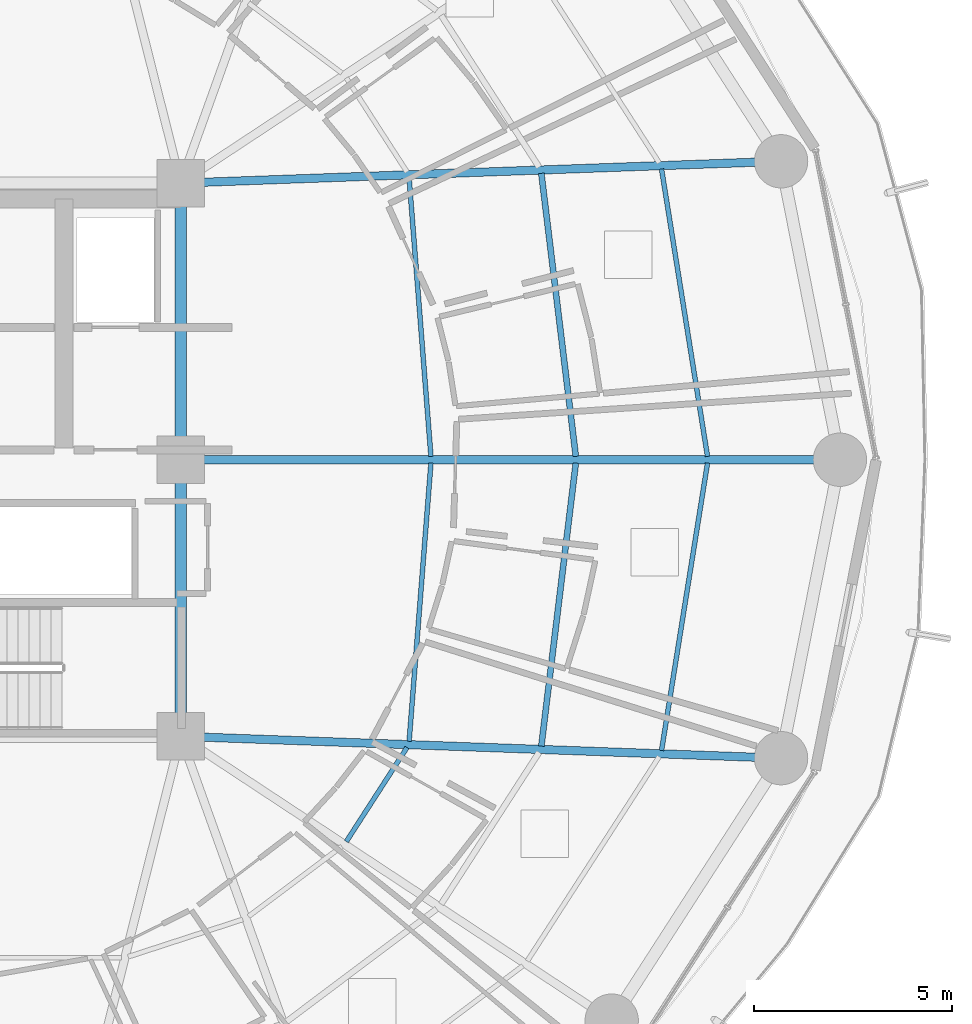
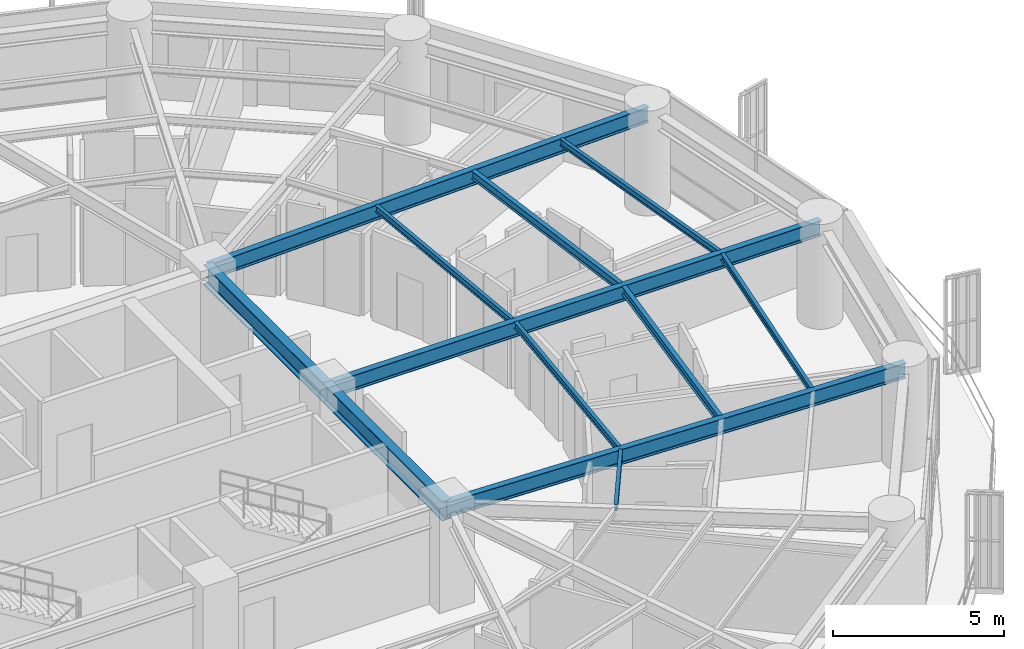
# One storey, part 15 of 38: 12 beams.
"""IFC4 building model written with IfcOpenShell, lengths in metres."""

from ifc_helpers import new_model, si_unit, direction, frame, origin, origin_2d, place, context, subcontext, project, spatial, i_section, extrude, material, material_profile, profile_set, type_object, element, save


model = new_model("IFC4")

# Units and contexts
model_context = context("Model", 3, precision=1e-05, world=origin(), true_north=direction((0.0, 1.0)))
body_context = subcontext(model_context, "Body", "Model", "MODEL_VIEW")
ifc_project = project(units=[si_unit("LENGTHUNIT", "METRE"), si_unit("AREAUNIT", "SQUARE_METRE"), si_unit("VOLUMEUNIT", "CUBIC_METRE"), si_unit("PLANEANGLEUNIT", "RADIAN"), si_unit("MASSUNIT", "GRAM", prefix="KILO")], contexts=[model_context])

# Site, building, storey
site_placement = place(None, origin())
site = spatial("IfcSite", under=ifc_project, at=site_placement, CompositionType="ELEMENT")
building_placement = place(site_placement, origin())
building = spatial("IfcBuilding", under=site, at=building_placement, Name="Kelanora Arch Commons", CompositionType="ELEMENT")
storey_placement = place(building_placement, frame((0.0, 0.0, 106.35009765625)))
storey = spatial("IfcBuildingStorey", under=building, at=storey_placement, Name="L27", CompositionType="ELEMENT", Elevation=106.35009765625)

# Beams
ifc_material = material(Name="Steel S355", Category="steel")
ifc_material_profile_1 = material_profile(ifc_material, i_section(OverallWidth=0.300048828125, OverallDepth=0.699951171875, WebThickness=0.01708984375, FlangeThickness=0.031982421875, FilletRadius=0.027099609375, at=origin_2d()), Name="HEB700")
ifc_profile_set_1 = profile_set([ifc_material_profile_1], Name="Steel S355")
beam_type_1 = type_object("IfcBeamType", Name="BM-CORE-HDR", PredefinedType="BEAM", material=ifc_profile_set_1)
for number, where, z_axis, x_axis, name in (
    (1, (82.0, 51.0, 3.139892578125), (0.0, 1.0, 0.0), (-1.0, 0.0, 0.0), "Core Header Beam 03 L27"),
    (2, (82.0, 58.0, 3.139892578125), (0.0, 1.0, 0.0), (-1.0, 0.0, 0.0), "Core Header Beam 04 L27"),
):
    element("IfcBeam", number, at=place(storey_placement, frame(where, z_axis=z_axis, x_axis=x_axis)), inside=storey, type_object=beam_type_1, Name=name, PredefinedType="BEAM", context=body_context, shape_type="SweptSolid", body=[
        extrude(i_section(OverallWidth=0.300048828125, OverallDepth=0.699951171875, WebThickness=0.01708984375, FlangeThickness=0.031982421875, FilletRadius=0.027099609375, at=origin_2d()), origin(), (0.0, 0.0, 1.0), 7.0),
    ])
ifc_material_profile_2 = material_profile(ifc_material, i_section(OverallWidth=0.14990234375, OverallDepth=0.300048828125, WebThickness=0.007080078125, FlangeThickness=0.0107421875, FilletRadius=0.014892578125, at=origin_2d()), Name="IPE300")
ifc_profile_set_2 = profile_set([ifc_material_profile_2], Name="Steel S355")
beam_type_2 = type_object("IfcBeamType", Name="BM-JST-01", PredefinedType="JOIST", material=ifc_profile_set_2)
for number, where, z_axis, x_axis, name in (
    (3, (91.997802734375, 58.08447265625, 3.33984375), (-0.120935645266, 0.992660349618, 0.0), (-0.992660349618, -0.120935645266, 0.0), "Secondary Chord Joist BJB-00 L27"),
    (4, (91.125244140625, 50.75341796875, 3.33984375), (0.120935645266, 0.992660349618, 0.0), (-0.992660349618, 0.120935645266, 0.0), "Secondary Chord Joist BJB-34 L27"),
):
    element("IfcBeam", number, at=place(storey_placement, frame(where, z_axis=z_axis, x_axis=x_axis)), inside=storey, type_object=beam_type_2, Name=name, PredefinedType="JOIST", context=body_context, shape_type="SweptSolid", body=[
        extrude(i_section(OverallWidth=0.14990234375, OverallDepth=0.300048828125, WebThickness=0.007080078125, FlangeThickness=0.0107421875, FilletRadius=0.014892578125, at=origin_2d()), origin(), (0.0, 0.0, 1.0), 7.215087890625),
    ])
ifc_material_profile_3 = material_profile(ifc_material, i_section(OverallWidth=0.1201171875, OverallDepth=0.239990234375, WebThickness=0.006103515625, FlangeThickness=0.009765625, FilletRadius=0.014892578125, at=origin_2d()), Name="IPE240")
ifc_profile_set_3 = profile_set([ifc_material_profile_3], Name="Steel S355")
beam_type_3 = type_object("IfcBeamType", Name="BM-JST-02", PredefinedType="JOIST", material=ifc_profile_set_3)
beam_1_placement = place(storey_placement, frame((88.331787109375, 58.084716796875, 3.369873046875), z_axis=(-0.078200677502, 0.996937637989, 0.0), x_axis=(-0.996937637989, -0.078200677502, 0.0)))
element("IfcBeam", 5, at=beam_1_placement, inside=storey, type_object=beam_type_3, Name="Secondary Chord Joist BJA-00 L27", PredefinedType="JOIST", context=body_context, shape_type="SweptSolid", body=[
    extrude(i_section(OverallWidth=0.1201171875, OverallDepth=0.239990234375, WebThickness=0.006103515625, FlangeThickness=0.009765625, FilletRadius=0.014892578125, at=origin_2d()), origin(), (0.0, 0.0, 1.0), 7.06201171875),
])
beam_2_placement = place(storey_placement, frame((95.33056640625, 58.083984375, 3.369873046875), z_axis=(-0.157999549894, 0.987439184068, 0.0), x_axis=(-0.987439184068, -0.157999549894, 0.0)))
element("IfcBeam", 6, at=beam_2_placement, inside=storey, type_object=beam_type_3, Name="Secondary Chord Joist BJC-00 L27", PredefinedType="JOIST", context=body_context, shape_type="SweptSolid", body=[
    extrude(i_section(OverallWidth=0.1201171875, OverallDepth=0.239990234375, WebThickness=0.006103515625, FlangeThickness=0.009765625, FilletRadius=0.014892578125, at=origin_2d()), origin(), (0.0, 0.0, 1.0), 7.365966796875),
])
beam_3_placement = place(storey_placement, frame((86.1904296875, 48.338134765625, 3.369873046875), z_axis=(0.542211255502, 0.840242199849, 0.0), x_axis=(-0.840242199849, 0.542211255502, 0.0)))
element("IfcBeam", 7, at=beam_3_placement, inside=storey, type_object=beam_type_3, Name="Secondary Chord Joist BJA-32 L27", PredefinedType="JOIST", context=body_context, shape_type="SweptSolid", body=[
    extrude(i_section(OverallWidth=0.1201171875, OverallDepth=0.239990234375, WebThickness=0.006103515625, FlangeThickness=0.009765625, FilletRadius=0.014892578125, at=origin_2d()), origin(), (0.0, 0.0, 1.0), 2.83349609375),
])
beam_4_placement = place(storey_placement, frame((87.779541015625, 50.875, 3.369873046875), z_axis=(0.078200677502, 0.996937637989, 0.0), x_axis=(-0.996937637989, 0.078200677502, 0.0)))
element("IfcBeam", 8, at=beam_4_placement, inside=storey, type_object=beam_type_3, Name="Secondary Chord Joist BJA-34 L27", PredefinedType="JOIST", context=body_context, shape_type="SweptSolid", body=[
    extrude(i_section(OverallWidth=0.1201171875, OverallDepth=0.239990234375, WebThickness=0.006103515625, FlangeThickness=0.009765625, FilletRadius=0.014892578125, at=origin_2d()), origin(), (0.0, 0.0, 1.0), 7.06201171875),
])
beam_5_placement = place(storey_placement, frame((94.166748046875, 50.642578125, 3.369873046875), z_axis=(0.157999549894, 0.987439184068, 0.0), x_axis=(-0.987439184068, 0.157999549894, 0.0)))
element("IfcBeam", 9, at=beam_5_placement, inside=storey, type_object=beam_type_3, Name="Secondary Chord Joist BJC-34 L27", PredefinedType="JOIST", context=body_context, shape_type="SweptSolid", body=[
    extrude(i_section(OverallWidth=0.1201171875, OverallDepth=0.239990234375, WebThickness=0.006103515625, FlangeThickness=0.009765625, FilletRadius=0.014892578125, at=origin_2d()), origin(), (0.0, 0.0, 1.0), 7.365966796875),
])
ifc_material_profile_4 = material_profile(ifc_material, i_section(OverallWidth=0.2099609375, OverallDepth=0.550048828125, WebThickness=0.010986328125, FlangeThickness=0.01708984375, FilletRadius=0.02392578125, at=origin_2d()), Name="IPE550")
ifc_profile_set_4 = profile_set([ifc_material_profile_4], Name="Steel S355")
beam_type_4 = type_object("IfcBeamType", Name="BM-RAD-Z2", PredefinedType="BEAM", material=ifc_profile_set_4)
beam_6_placement = place(storey_placement, frame((82.0, 58.0, 3.21484375), z_axis=(1.0, 0.0, 0.0), x_axis=(0.0, 1.0, 0.0)))
element("IfcBeam", 10, at=beam_6_placement, inside=storey, type_object=beam_type_4, Name="Radial Floor Girder BR-00 L27", PredefinedType="BEAM", context=body_context, shape_type="SweptSolid", body=[
    extrude(i_section(OverallWidth=0.2099609375, OverallDepth=0.550048828125, WebThickness=0.010986328125, FlangeThickness=0.01708984375, FilletRadius=0.02392578125, at=origin_2d()), origin(), (0.0, 0.0, 1.0), 16.679931640625),
])
for number, where, z_axis, x_axis, name in (
    (11, (82.0, 65.0, 3.21484375), (0.999341087625, 0.036295875581, 0.0), (-0.036295875581, 0.999341087625, 0.0), "Radial Floor Girder BR-02 L27"),
    (12, (82.0, 51.0, 3.21484375), (0.999341087625, -0.036295875581, 0.0), (0.036295875581, 0.999341087625, 0.0), "Radial Floor Girder BR-34 L27"),
):
    element("IfcBeam", number, at=place(storey_placement, frame(where, z_axis=z_axis, x_axis=x_axis)), inside=storey, type_object=beam_type_4, Name=name, PredefinedType="BEAM", context=body_context, shape_type="SweptSolid", body=[
        extrude(i_section(OverallWidth=0.2099609375, OverallDepth=0.550048828125, WebThickness=0.010986328125, FlangeThickness=0.01708984375, FilletRadius=0.02392578125, at=origin_2d()), origin(), (0.0, 0.0, 1.0), 15.20166015625),
    ])

save(model, "model.ifc")
